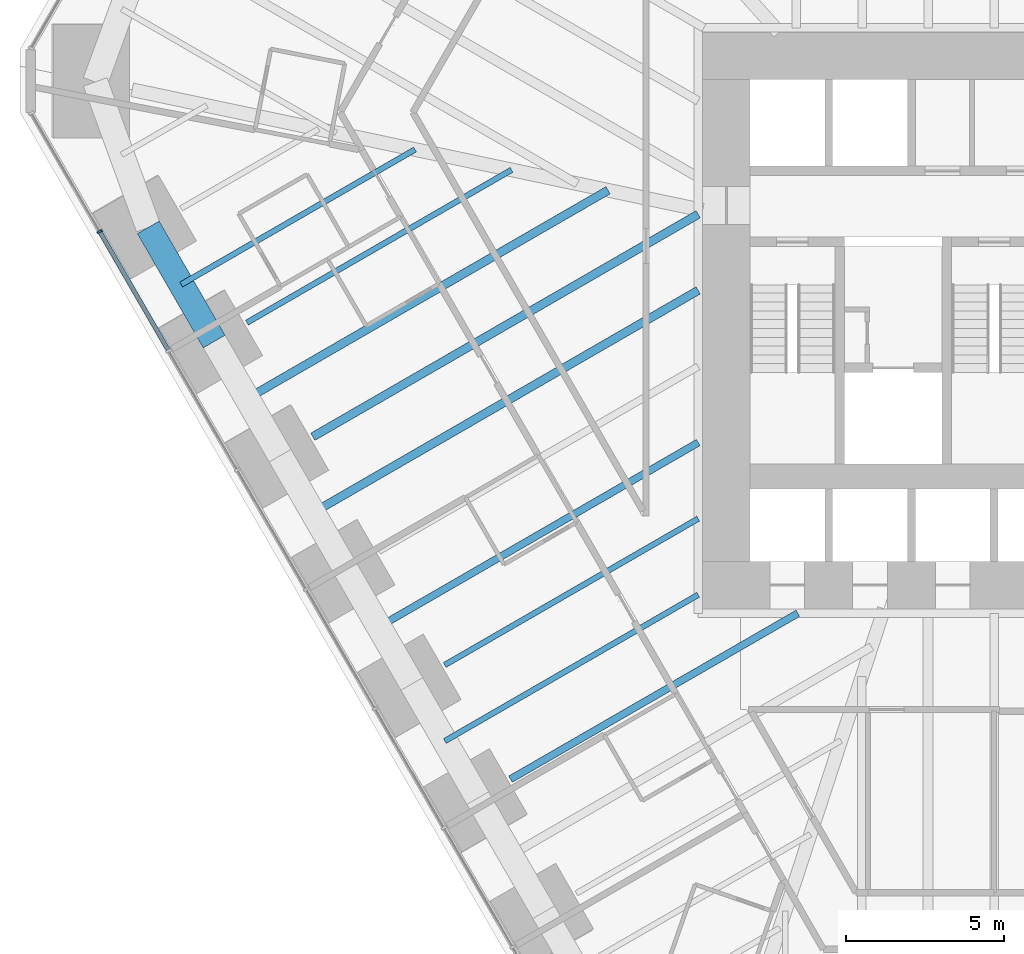
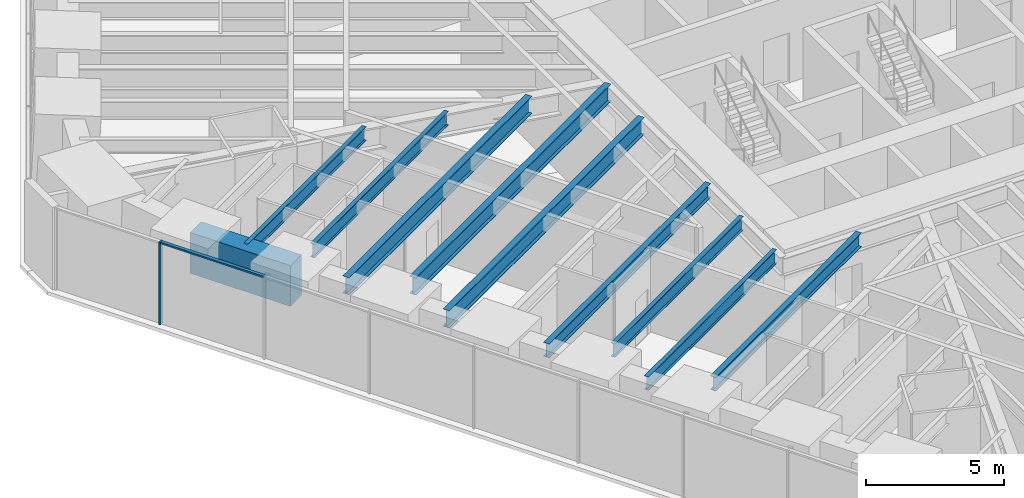
# One storey, part 3 of 17: 10 beams, 2 members, 1 element without a shape of its own.
"""IFC4 building model written with IfcOpenShell, lengths in metres."""

from ifc_helpers import new_model, si_unit, direction, frame, origin, origin_2d, place, context, subcontext, project, spatial, rectangle, i_section, extrude, material, material_profile, profile_set, type_object, element, aggregate, save


model = new_model("IFC4")

# Units and contexts
model_context = context("Model", 3, precision=1e-05, world=origin(), true_north=direction((0.0, 1.0)))
body_context = subcontext(model_context, "Body", "Model", "MODEL_VIEW")
ifc_project = project(units=[si_unit("LENGTHUNIT", "METRE"), si_unit("AREAUNIT", "SQUARE_METRE"), si_unit("VOLUMEUNIT", "CUBIC_METRE"), si_unit("PLANEANGLEUNIT", "RADIAN"), si_unit("MASSUNIT", "GRAM", prefix="KILO")], contexts=[model_context])

# Site, building, storey
site_placement = place(None, origin())
site = spatial("IfcSite", under=ifc_project, at=site_placement, CompositionType="ELEMENT")
building_placement = place(site_placement, origin())
building = spatial("IfcBuilding", under=site, at=building_placement, Name="Sandreach Pilgrim Tower", CompositionType="ELEMENT")
storey_placement = place(building_placement, frame((0.0, 0.0, 57.199951171875)))
storey = spatial("IfcBuildingStorey", under=building, at=storey_placement, Name="L13", CompositionType="ELEMENT", Elevation=57.199951171875)

# Curtain wall, members
ifc_material_1 = material(Name="Aluminium framed curtain wall", Category="aluminium")
curtain_wall_type = type_object("IfcCurtainWallType", Name="Hostel tower curtain wall", PredefinedType="NOTDEFINED", material=ifc_material_1)
curtain_wall_placement = place(storey_placement, origin())
curtain_wall = element("IfcCurtainWall", 1, at=curtain_wall_placement, inside=storey, type_object=curtain_wall_type, Name="CW-1 L13 SW", PredefinedType="NOTDEFINED")
ifc_material_2 = material(Name="Aluminium extrusion", Category="aluminium")
ifc_material_profile_1 = material_profile(ifc_material_2, rectangle(XDim=0.06494140625, YDim=0.179931640625, at=origin_2d()), Name="CW-1M 65X180")
ifc_profile_set_1 = profile_set([ifc_material_profile_1], Name="Aluminium extrusion")
member_type_1 = type_object("IfcMemberType", Name="CW-1 mullion", PredefinedType="MULLION", material=ifc_profile_set_1)
member_1_placement = place(storey_placement, frame((-28.390380859375, 1.2763671875, 0.0), z_axis=(0.0, 0.0, 1.0), x_axis=(-0.5, 0.866025403784, 0.0)))
member_1 = element("IfcMember", 2, at=member_1_placement, type_object=member_type_1, Name="CW-1 mullion 9", PredefinedType="MULLION", context=body_context, shape_type="SweptSolid", body=[
    extrude(rectangle(XDim=0.06494140625, YDim=0.179931640625, at=origin_2d()), origin(), (0.0, 0.0, 1.0), 3.64013671875),
])
ifc_material_3 = material(Name="Aluminium extrusion", Category="aluminium")
ifc_material_profile_2 = material_profile(ifc_material_3, rectangle(XDim=0.139892578125, YDim=0.070068359375, at=origin_2d()), Name="CW-1T 140X70")
ifc_profile_set_2 = profile_set([ifc_material_profile_2], Name="Aluminium extrusion")
member_type_2 = type_object("IfcMemberType", Name="CW-1 transom", PredefinedType="USERDEFINED", material=ifc_profile_set_2)
member_2_placement = place(storey_placement, frame((-26.220947265625, -2.4814453125, 3.60498046875), z_axis=(-0.500016891966, 0.866015650984, 0.0), x_axis=(-0.866015650984, -0.500016891966, 0.0)))
member_2 = element("IfcMember", 3, at=member_2_placement, type_object=member_type_2, Name="CW-1 head transom 8", ObjectType="TRANSOM", PredefinedType="USERDEFINED", context=body_context, shape_type="SweptSolid", body=[
    extrude(rectangle(XDim=0.139892578125, YDim=0.070068359375, at=origin_2d()), origin(), (0.0, 0.0, 1.0), 4.306396484375),
])
aggregate(curtain_wall, [member_1, member_2])

# Beams
ifc_material_4 = material(Name="Steel ASTM A992 Grade 50", Category="steel")
ifc_material_profile_3 = material_profile(ifc_material_4, i_section(OverallWidth=0.1787109375, OverallDepth=0.60205078125, WebThickness=0.010986328125, FlangeThickness=0.014892578125, at=origin_2d()), Name="W24X62")
ifc_profile_set_3 = profile_set([ifc_material_profile_3], Name="Steel ASTM A992 Grade 50")
beam_type_1 = type_object("IfcBeamType", Name="Floor beam W24X62", PredefinedType="BEAM", material=ifc_profile_set_3)
beam_1_placement = place(storey_placement, frame((-17.44287109375, -12.486328125, 3.339111328125), z_axis=(0.866023307911, 0.500003630142, 0.0), x_axis=(-0.500003630142, 0.866023307911, 0.0)))
element("IfcBeam", 4, at=beam_1_placement, inside=storey, type_object=beam_type_1, Name="BM L13 F30", PredefinedType="BEAM", context=body_context, shape_type="SweptSolid", body=[
    extrude(i_section(OverallWidth=0.1787109375, OverallDepth=0.60205078125, WebThickness=0.010986328125, FlangeThickness=0.014892578125, at=origin_2d()), origin(), (0.0, 0.0, 1.0), 9.294921875),
])
beam_2_placement = place(storey_placement, frame((-23.718994140625, -1.615966796875, 3.339111328125), z_axis=(0.866025898704, 0.499999142773, 0.0), x_axis=(-0.499999142773, 0.866025898704, 0.0)))
element("IfcBeam", 5, at=beam_2_placement, inside=storey, type_object=beam_type_1, Name="BM L13 F33", PredefinedType="BEAM", context=body_context, shape_type="SweptSolid", body=[
    extrude(i_section(OverallWidth=0.1787109375, OverallDepth=0.60205078125, WebThickness=0.010986328125, FlangeThickness=0.014892578125, at=origin_2d()), origin(), (0.0, 0.0, 1.0), 9.7001953125),
])
beam_3_placement = place(storey_placement, frame((-17.43603515625, -14.89794921875, 3.339111328125), z_axis=(0.866032801962, 0.499987185761, 0.0), x_axis=(-0.499987185761, 0.866032801962, 0.0)))
element("IfcBeam", 6, at=beam_3_placement, inside=storey, type_object=beam_type_1, Name="BM L13 FM29", PredefinedType="BEAM", context=body_context, shape_type="SweptSolid", body=[
    extrude(i_section(OverallWidth=0.1787109375, OverallDepth=0.60205078125, WebThickness=0.010986328125, FlangeThickness=0.014892578125, at=origin_2d()), origin(), (0.0, 0.0, 1.0), 9.286865234375),
])
beam_4_placement = place(storey_placement, frame((-25.80419921875, -0.404052734375, 3.339111328125), z_axis=(0.866032840154, 0.49998711961, 0.0), x_axis=(-0.49998711961, 0.866032840154, 0.0)))
element("IfcBeam", 7, at=beam_4_placement, inside=storey, type_object=beam_type_1, Name="BM L13 FM33", PredefinedType="BEAM", context=body_context, shape_type="SweptSolid", body=[
    extrude(i_section(OverallWidth=0.1787109375, OverallDepth=0.60205078125, WebThickness=0.010986328125, FlangeThickness=0.014892578125, at=origin_2d()), origin(), (0.0, 0.0, 1.0), 8.570556640625),
])
ifc_material_5 = material(Name="Steel ASTM A992 Grade 50", Category="steel")
ifc_material_profile_4 = material_profile(ifc_material_5, i_section(OverallWidth=0.23046875, OverallDepth=0.6171875, WebThickness=0.01318359375, FlangeThickness=0.022216796875, at=origin_2d()), Name="W24X94")
ifc_profile_set_4 = profile_set([ifc_material_profile_4], Name="Steel ASTM A992 Grade 50")
beam_type_2 = type_object("IfcBeamType", Name="Floor beam W24X94", PredefinedType="BEAM", material=ifc_profile_set_4)
beam_5_placement = place(storey_placement, frame((-15.350830078125, -16.109619140625, 3.33154296875), z_axis=(0.86602500991, 0.500000682211, 0.0), x_axis=(-0.500000682211, 0.86602500991, 0.0)))
element("IfcBeam", 8, at=beam_5_placement, inside=storey, type_object=beam_type_2, Name="BM L13 F29", PredefinedType="BEAM", context=body_context, shape_type="SweptSolid", body=[
    extrude(i_section(OverallWidth=0.23046875, OverallDepth=0.6171875, WebThickness=0.01318359375, FlangeThickness=0.022216796875, at=origin_2d()), origin(), (0.0, 0.0, 1.0), 10.53271484375),
])
beam_6_placement = place(storey_placement, frame((-19.528076171875, -11.274658203125, 3.33154296875), z_axis=(0.866025081961, 0.500000557414, 0.0), x_axis=(-0.500000557414, 0.866025081961, 0.0)))
element("IfcBeam", 9, at=beam_6_placement, inside=storey, type_object=beam_type_2, Name="BM L13 FM30", PredefinedType="BEAM", context=body_context, shape_type="SweptSolid", body=[
    extrude(i_section(OverallWidth=0.23046875, OverallDepth=0.6171875, WebThickness=0.01318359375, FlangeThickness=0.022216796875, at=origin_2d()), origin(), (0.0, 0.0, 1.0), 11.70263671875),
])
ifc_material_6 = material(Name="Steel ASTM A992 Grade 50", Category="steel")
ifc_material_profile_5 = material_profile(ifc_material_6, i_section(OverallWidth=0.2666015625, OverallDepth=0.761962890625, WebThickness=0.014404296875, FlangeThickness=0.021484375, at=origin_2d()), Name="W30X116")
ifc_profile_set_5 = profile_set([ifc_material_profile_5], Name="Steel ASTM A992 Grade 50")
beam_type_3 = type_object("IfcBeamType", Name="Floor beam W30X116", PredefinedType="BEAM", material=ifc_profile_set_5)
beam_7_placement = place(storey_placement, frame((-21.626953125, -5.2392578125, 3.259033203125), z_axis=(0.866028731315, 0.499994236503, 0.0), x_axis=(-0.499994236503, 0.866028731315, 0.0)))
element("IfcBeam", 10, at=beam_7_placement, inside=storey, type_object=beam_type_3, Name="BM L13 F32", PredefinedType="BEAM", context=body_context, shape_type="SweptSolid", body=[
    extrude(i_section(OverallWidth=0.2666015625, OverallDepth=0.761962890625, WebThickness=0.014404296875, FlangeThickness=0.021484375, at=origin_2d()), origin(), (0.0, 0.0, 1.0), 14.126220703125),
])
beam_8_placement = place(storey_placement, frame((-21.6201171875, -7.651123046875, 3.259033203125), z_axis=(0.866027491634, 0.499996383721, 0.0), x_axis=(-0.499996383721, 0.866027491634, 0.0)))
element("IfcBeam", 11, at=beam_8_placement, inside=storey, type_object=beam_type_3, Name="BM L13 FM31", PredefinedType="BEAM", context=body_context, shape_type="SweptSolid", body=[
    extrude(i_section(OverallWidth=0.2666015625, OverallDepth=0.761962890625, WebThickness=0.014404296875, FlangeThickness=0.021484375, at=origin_2d()), origin(), (0.0, 0.0, 1.0), 14.1181640625),
])
beam_9_placement = place(storey_placement, frame((-23.712158203125, -4.027587890625, 3.259033203125), z_axis=(0.866025788398, 0.49999933383, 0.0), x_axis=(-0.49999933383, 0.866025788398, 0.0)))
element("IfcBeam", 12, at=beam_9_placement, inside=storey, type_object=beam_type_3, Name="BM L13 FM32", PredefinedType="BEAM", context=body_context, shape_type="SweptSolid", body=[
    extrude(i_section(OverallWidth=0.2666015625, OverallDepth=0.761962890625, WebThickness=0.014404296875, FlangeThickness=0.021484375, at=origin_2d()), origin(), (0.0, 0.0, 1.0), 13.22998046875),
])
ifc_material_7 = material(Name="Concrete 10000 psi", Category="concrete")
ifc_material_profile_6 = material_profile(ifc_material_7, rectangle(XDim=0.800048828125, YDim=1.800048828125, at=origin_2d()), Name="RC800X1800")
ifc_profile_set_6 = profile_set([ifc_material_profile_6], Name="Concrete 10000 psi")
beam_type_4 = type_object("IfcBeamType", Name="Spandrel beam RC800X1800", PredefinedType="SPANDREL", material=ifc_profile_set_6)
beam_10_placement = place(storey_placement, frame((-24.758056640625, -2.2158203125, 2.739990234375), z_axis=(-0.500023836355, 0.866011641421, 0.0), x_axis=(-0.866011641421, -0.500023836355, 0.0)))
element("IfcBeam", 13, at=beam_10_placement, inside=storey, type_object=beam_type_4, Name="BM L13 SP33", PredefinedType="SPANDREL", context=body_context, shape_type="SweptSolid", body=[
    extrude(rectangle(XDim=0.800048828125, YDim=1.800048828125, at=origin_2d()), origin(), (0.0, 0.0, 1.0), 4.183837890625),
])

save(model, "model.ifc")
